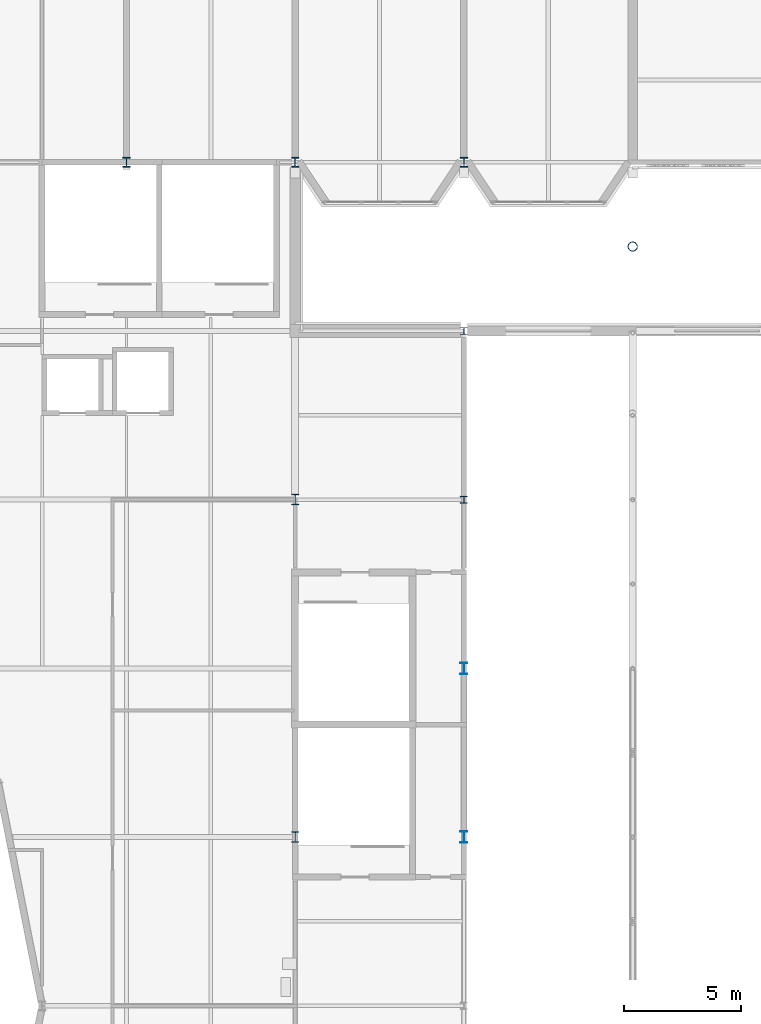
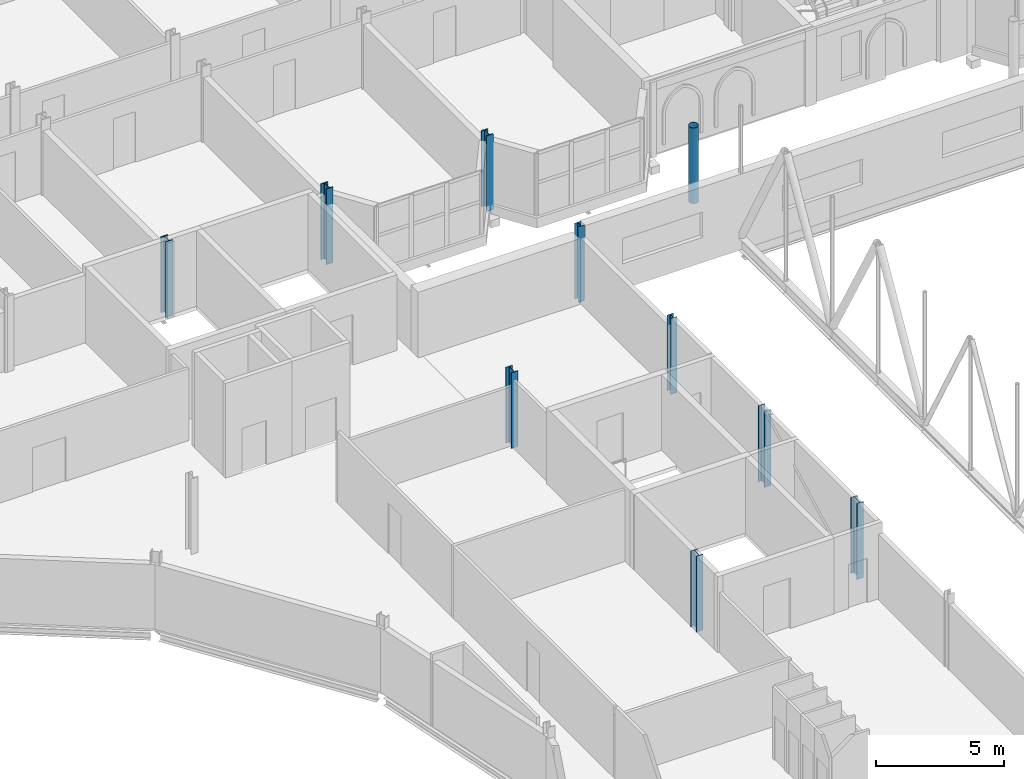
# One storey, part 11 of 142: 10 columns.
"""IFC4 building model written with IfcOpenShell, lengths in metres."""

from ifc_helpers import new_model, si_unit, direction, frame, origin, origin_2d, place, context, subcontext, project, spatial, hollow_circle, i_section, extrude, material, material_profile, profile_set, type_object, element, save


model = new_model("IFC4")

# Units and contexts
model_context = context("Model", 3, precision=1e-05, world=origin(), true_north=direction((0.0, 1.0)))
body_context = subcontext(model_context, "Body", "Model", "MODEL_VIEW")
ifc_project = project(units=[si_unit("LENGTHUNIT", "METRE"), si_unit("AREAUNIT", "SQUARE_METRE"), si_unit("VOLUMEUNIT", "CUBIC_METRE"), si_unit("PLANEANGLEUNIT", "RADIAN"), si_unit("MASSUNIT", "GRAM", prefix="KILO")], contexts=[model_context])

# Site, building, storey
site_placement = place(None, origin())
site = spatial("IfcSite", under=ifc_project, at=site_placement, CompositionType="ELEMENT")
building_placement = place(site_placement, origin())
building = spatial("IfcBuilding", under=site, at=building_placement, Name="Kupolbacken Congress Centre", CompositionType="ELEMENT")
storey_placement = place(building_placement, frame((0.0, 0.0, 14.39990234375)))
storey = spatial("IfcBuildingStorey", under=building, at=storey_placement, Name="L04", CompositionType="ELEMENT", Elevation=14.39990234375)

# Columns
ifc_material_1 = material(Name="Steel S355", Category="steel")
ifc_material_profile_1 = material_profile(ifc_material_1, i_section(OverallWidth=0.306884765625, OverallDepth=0.431884765625, WebThickness=0.02099609375, FlangeThickness=0.0400390625, FilletRadius=0.027099609375, at=origin_2d()), Name="HEM 400")
ifc_profile_set_1 = profile_set([ifc_material_profile_1], Name="Steel S355")
column_type_1 = type_object("IfcColumnType", Name="C02 column HEM 400", PredefinedType="COLUMN", material=ifc_profile_set_1)
for number, where, z_axis, x_axis, name in (
    (1, (72.0, 122.39990234375, 0.0), (0.0, 0.0, 1.0), (1.0, 0.0, 0.0), "S/col/C-T-11T/L04"),
    (2, (79.199951171875, 122.39990234375, 0.0), (0.0, 0.0, 1.0), (1.0, 0.0, 0.0), "S/col/C-T-12T/L04"),
    (3, (86.39990234375, 122.39990234375, 0.0), (0.0, 0.0, 1.0), (1.0, 0.0, 0.0), "S/col/C-T-13T/L04"),
):
    element("IfcColumn", number, at=place(storey_placement, frame(where, z_axis=z_axis, x_axis=x_axis)), inside=storey, type_object=column_type_1, Name=name, PredefinedType="COLUMN", context=body_context, shape_type="SweptSolid", body=[
        extrude(i_section(OverallWidth=0.306884765625, OverallDepth=0.431884765625, WebThickness=0.02099609375, FlangeThickness=0.0400390625, FilletRadius=0.027099609375, at=origin_2d()), origin(), (0.0, 0.0, 1.0), 3.60009765625),
    ])
ifc_material_2 = material(Name="Steel S355", Category="steel")
ifc_material_profile_2 = material_profile(ifc_material_2, i_section(OverallWidth=0.300048828125, OverallDepth=0.449951171875, WebThickness=0.013916015625, FlangeThickness=0.02587890625, FilletRadius=0.027099609375, at=origin_2d()), Name="HEB 450")
ifc_profile_set_2 = profile_set([ifc_material_profile_2], Name="Steel S355")
column_type_2 = type_object("IfcColumnType", Name="C03 column HEB 450", PredefinedType="COLUMN", material=ifc_profile_set_2)
for number, where, z_axis, x_axis, name in (
    (4, (79.199951171875, 93.60009765625, 0.0), (0.0, 0.0, 1.0), (1.0, 0.0, 0.0), "S/col/C-P-12P/L04"),
    (5, (79.199951171875, 108.0, 0.0), (0.0, 0.0, 1.0), (1.0, 0.0, 0.0), "S/col/C-P-12R/L04"),
):
    element("IfcColumn", number, at=place(storey_placement, frame(where, z_axis=z_axis, x_axis=x_axis)), inside=storey, type_object=column_type_2, Name=name, PredefinedType="COLUMN", context=body_context, shape_type="SweptSolid", body=[
        extrude(i_section(OverallWidth=0.300048828125, OverallDepth=0.449951171875, WebThickness=0.013916015625, FlangeThickness=0.02587890625, FilletRadius=0.027099609375, at=origin_2d()), origin(), (0.0, 0.0, 1.0), 3.60009765625),
    ])
ifc_material_3 = material(Name="Steel S355", Category="steel")
ifc_material_profile_3 = material_profile(ifc_material_3, i_section(OverallWidth=0.300048828125, OverallDepth=0.2900390625, WebThickness=0.008544921875, FlangeThickness=0.013916015625, FilletRadius=0.027099609375, at=origin_2d()), Name="HEA 300")
ifc_profile_set_3 = profile_set([ifc_material_profile_3], Name="Steel S355")
column_type_3 = type_object("IfcColumnType", Name="C09 column HEA 300", PredefinedType="COLUMN", material=ifc_profile_set_3)
for number, where, z_axis, x_axis, name in (
    (6, (86.39990234375, 108.0, 0.0), (0.0, 0.0, 1.0), (1.0, 0.0, 0.0), "S/col/C-H-PW10/L04"),
    (7, (86.39990234375, 115.199951171875, 0.0), (0.0, 0.0, 1.0), (1.0, 0.0, 0.0), "S/col/C-H-PW11/L04"),
):
    element("IfcColumn", number, at=place(storey_placement, frame(where, z_axis=z_axis, x_axis=x_axis)), inside=storey, type_object=column_type_3, Name=name, PredefinedType="COLUMN", context=body_context, shape_type="SweptSolid", body=[
        extrude(i_section(OverallWidth=0.300048828125, OverallDepth=0.2900390625, WebThickness=0.008544921875, FlangeThickness=0.013916015625, FilletRadius=0.027099609375, at=origin_2d()), origin(), (0.0, 0.0, 1.0), 3.60009765625),
    ])
ifc_material_4 = material(Name="Steel S355", Category="steel")
ifc_material_profile_4 = material_profile(ifc_material_4, i_section(OverallWidth=0.300048828125, OverallDepth=0.489990234375, WebThickness=0.011962890625, FlangeThickness=0.02294921875, FilletRadius=0.027099609375, at=origin_2d()), Name="HEA 500")
ifc_profile_set_4 = profile_set([ifc_material_profile_4], Name="Steel S355")
column_type_4 = type_object("IfcColumnType", Name="C14 column HEA 500", PredefinedType="COLUMN", material=ifc_profile_set_4)
for number, where, z_axis, x_axis, name in (
    (8, (86.39990234375, 93.60009765625, 0.0), (0.0, 0.0, 1.0), (1.0, 0.0, 0.0), "S/col/C-H-PW08/L04"),
    (9, (86.39990234375, 100.800048828125, 0.0), (0.0, 0.0, 1.0), (1.0, 0.0, 0.0), "S/col/C-H-PW09/L04"),
):
    element("IfcColumn", number, at=place(storey_placement, frame(where, z_axis=z_axis, x_axis=x_axis)), inside=storey, type_object=column_type_4, Name=name, PredefinedType="COLUMN", context=body_context, shape_type="SweptSolid", body=[
        extrude(i_section(OverallWidth=0.300048828125, OverallDepth=0.489990234375, WebThickness=0.011962890625, FlangeThickness=0.02294921875, FilletRadius=0.027099609375, at=origin_2d()), origin(), (0.0, 0.0, 1.0), 3.60009765625),
    ])
ifc_material_5 = material(Name="Steel S355", Category="steel")
ifc_material_profile_5 = material_profile(ifc_material_5, hollow_circle(Radius=0.203125, WallThickness=0.01611328125, at=origin_2d()), Name="CHS 406.4 x 16")
ifc_profile_set_5 = profile_set([ifc_material_profile_5], Name="Steel S355")
column_type_5 = type_object("IfcColumnType", Name="C15 roof mast CHS 406.4 x 16", PredefinedType="COLUMN", material=ifc_profile_set_5)
column_placement = place(storey_placement, frame((93.60009765625, 118.800048828125, 0.0), z_axis=(0.0, 0.0, 1.0), x_axis=(1.0, 0.0, 0.0)))
element("IfcColumn", 10, at=column_placement, inside=storey, type_object=column_type_5, Name="Roof mast M1N", PredefinedType="COLUMN", context=body_context, shape_type="SweptSolid", body=[
    extrude(hollow_circle(Radius=0.203125, WallThickness=0.01611328125, at=origin_2d()), origin(), (0.0, 0.0, 1.0), 3.60009765625),
])

save(model, "model.ifc")
